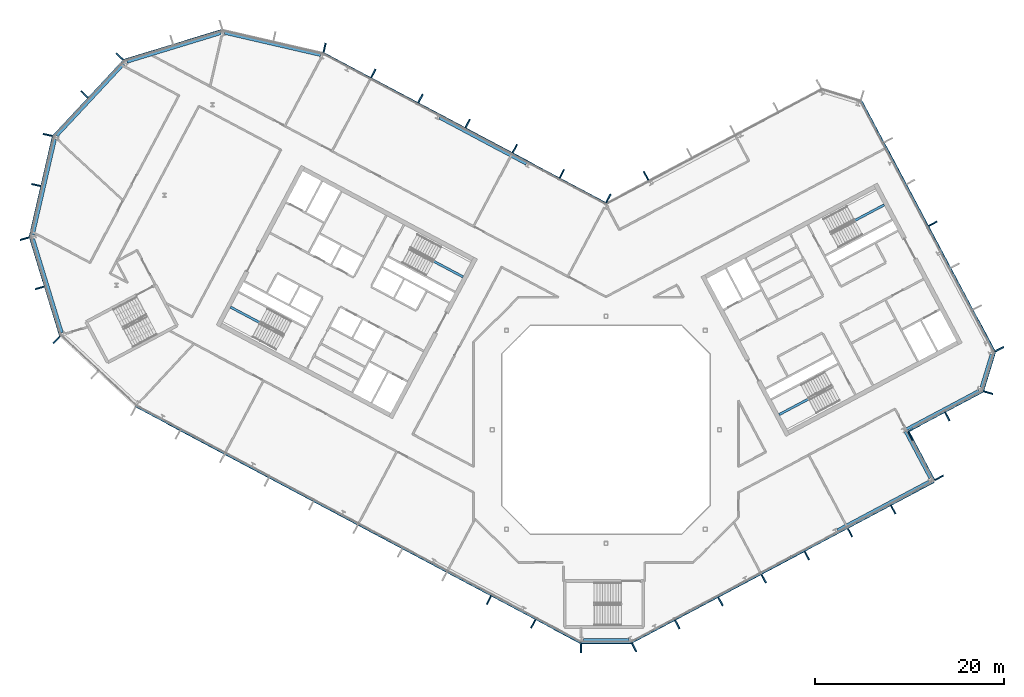
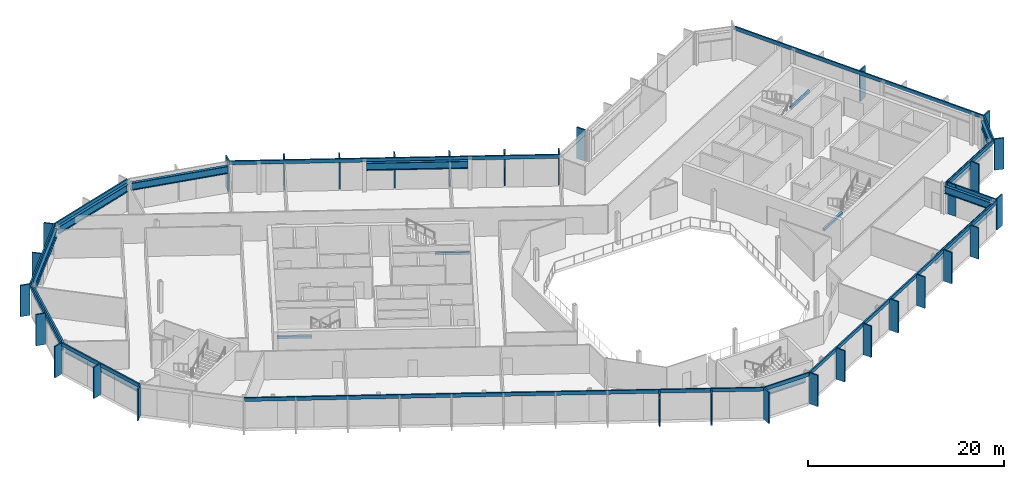
# One storey, part 9 of 26: 43 members, 15 beams, 15 elements without a shape of their own.
"""IFC4 building model written with IfcOpenShell, lengths in metres."""

from ifc_helpers import new_model, si_unit, direction, frame, origin, origin_2d, place, context, subcontext, project, spatial, rectangle, i_section, extrude, material, layer, layer_set, material_profile, profile_set, type_object, element, aggregate, save


model = new_model("IFC4")

# Units and contexts
model_context = context("Model", 3, precision=1e-05, world=origin(), true_north=direction((0.0, 1.0)))
body_context = subcontext(model_context, "Body", "Model", "MODEL_VIEW")
ifc_project = project(units=[si_unit("LENGTHUNIT", "METRE"), si_unit("AREAUNIT", "SQUARE_METRE"), si_unit("VOLUMEUNIT", "CUBIC_METRE"), si_unit("PLANEANGLEUNIT", "RADIAN"), si_unit("MASSUNIT", "GRAM", prefix="KILO")], contexts=[model_context])

# Site, building, storey
site_placement = place(None, origin())
site = spatial("IfcSite", under=ifc_project, at=site_placement, CompositionType="ELEMENT")
building_placement = place(site_placement, origin())
building = spatial("IfcBuilding", under=site, at=building_placement, Name="Cormorant Relay Tower", CompositionType="ELEMENT")
storey_placement = place(building_placement, frame((0.0, 0.0, 261.89990234375)))
storey = spatial("IfcBuildingStorey", under=building, at=storey_placement, Name="L58", CompositionType="ELEMENT", Elevation=261.89990234375)

# Curtain wall, member
ifc_material_1 = material(Name="Aluminium 6063-T6 anodised bronze", Category="aluminium")
ifc_layer = layer(ifc_material_1, 0.199951171875)
ifc_layer_set = layer_set([ifc_layer], Name="CW1 unitised bronze curtain wall with vertical fins")
curtain_wall_type = type_object("IfcCurtainWallType", Name="CW1 unitised bronze curtain wall with vertical fins", PredefinedType="NOTDEFINED", material=ifc_layer_set)
curtain_wall_1_placement = place(storey_placement, origin())
curtain_wall_1 = element("IfcCurtainWall", 1, at=curtain_wall_1_placement, inside=storey, type_object=curtain_wall_type, Name="CW1 curtain wall 1", PredefinedType="NOTDEFINED")
ifc_material_2 = material(Name="Aluminium 6063-T6 anodised bronze", Category="aluminium")
ifc_material_profile_1 = material_profile(ifc_material_2, rectangle(XDim=0.14990234375, YDim=1.0, at=origin_2d()), Name="AL 150x1000")
ifc_profile_set_1 = profile_set([ifc_material_profile_1], Name="Aluminium 6063-T6 anodised bronze")
member_type_1 = type_object("IfcMemberType", Name="CW1 bronze fin mullion 150 x 1000", PredefinedType="MULLION", material=ifc_profile_set_1)
member_1_placement = place(storey_placement, frame((-2.648681640625, -23.07568359375, 0.0), z_axis=(0.0, 0.0, 1.0), x_axis=(1.0, 0.0, 0.0)))
member_1 = element("IfcMember", 2, at=member_1_placement, type_object=member_type_1, Name="CW1 fin 1.1", PredefinedType="MULLION", context=body_context, shape_type="SweptSolid", body=[
    extrude(rectangle(XDim=0.14990234375, YDim=1.0, at=origin_2d()), origin(), (0.0, 0.0, 1.0), 3.900146484375),
])

# Curtain wall, members
curtain_wall_2_placement = place(storey_placement, origin())
curtain_wall_2 = element("IfcCurtainWall", 3, at=curtain_wall_2_placement, inside=storey, type_object=curtain_wall_type, Name="CW1 curtain wall 2", PredefinedType="NOTDEFINED")
member_2_placement = place(storey_placement, frame((2.9775390625, -22.99365234375, 0.0), z_axis=(0.0, 0.0, 1.0), x_axis=(0.882947592859, 0.469471562786, 0.0)))
member_2 = element("IfcMember", 4, at=member_2_placement, type_object=member_type_1, Name="CW1 fin 2.1", PredefinedType="MULLION", context=body_context, shape_type="SweptSolid", body=[
    extrude(rectangle(XDim=0.14990234375, YDim=1.0, at=origin_2d()), origin(), (0.0, 0.0, 1.0), 3.900146484375),
])
member_3_placement = place(storey_placement, frame((7.539306640625, -20.568115234375, 0.0), z_axis=(0.0, 0.0, 1.0), x_axis=(0.882947592859, 0.469471562786, 0.0)))
member_3 = element("IfcMember", 5, at=member_3_placement, type_object=member_type_1, Name="CW1 fin 2.2", PredefinedType="MULLION", context=body_context, shape_type="SweptSolid", body=[
    extrude(rectangle(XDim=0.14990234375, YDim=1.0, at=origin_2d()), origin(), (0.0, 0.0, 1.0), 3.900146484375),
])
member_4_placement = place(storey_placement, frame((12.10107421875, -18.142578125, 0.0), z_axis=(0.0, 0.0, 1.0), x_axis=(0.882947592859, 0.469471562786, 0.0)))
member_4 = element("IfcMember", 6, at=member_4_placement, type_object=member_type_1, Name="CW1 fin 2.3", PredefinedType="MULLION", context=body_context, shape_type="SweptSolid", body=[
    extrude(rectangle(XDim=0.14990234375, YDim=1.0, at=origin_2d()), origin(), (0.0, 0.0, 1.0), 3.900146484375),
])
member_5_placement = place(storey_placement, frame((16.662841796875, -15.717041015625, 0.0), z_axis=(0.0, 0.0, 1.0), x_axis=(0.882947592859, 0.469471562786, 0.0)))
member_5 = element("IfcMember", 7, at=member_5_placement, type_object=member_type_1, Name="CW1 fin 2.4", PredefinedType="MULLION", context=body_context, shape_type="SweptSolid", body=[
    extrude(rectangle(XDim=0.14990234375, YDim=1.0, at=origin_2d()), origin(), (0.0, 0.0, 1.0), 3.900146484375),
])
member_6_placement = place(storey_placement, frame((21.224609375, -13.29150390625, 0.0), z_axis=(0.0, 0.0, 1.0), x_axis=(0.882947592859, 0.469471562786, 0.0)))
member_6 = element("IfcMember", 8, at=member_6_placement, type_object=member_type_1, Name="CW1 fin 2.5", PredefinedType="MULLION", context=body_context, shape_type="SweptSolid", body=[
    extrude(rectangle(XDim=0.14990234375, YDim=1.0, at=origin_2d()), origin(), (0.0, 0.0, 1.0), 3.900146484375),
])
member_7_placement = place(storey_placement, frame((25.78662109375, -10.865966796875, 0.0), z_axis=(0.0, 0.0, 1.0), x_axis=(0.882947592859, 0.469471562786, 0.0)))
member_7 = element("IfcMember", 9, at=member_7_placement, type_object=member_type_1, Name="CW1 fin 2.6", PredefinedType="MULLION", context=body_context, shape_type="SweptSolid", body=[
    extrude(rectangle(XDim=0.14990234375, YDim=1.0, at=origin_2d()), origin(), (0.0, 0.0, 1.0), 3.900146484375),
])
member_8_placement = place(storey_placement, frame((30.348388671875, -8.440185546875, 0.0), z_axis=(0.0, 0.0, 1.0), x_axis=(0.882947592859, 0.469471562786, 0.0)))
member_8 = element("IfcMember", 10, at=member_8_placement, type_object=member_type_1, Name="CW1 fin 2.7", PredefinedType="MULLION", context=body_context, shape_type="SweptSolid", body=[
    extrude(rectangle(XDim=0.14990234375, YDim=1.0, at=origin_2d()), origin(), (0.0, 0.0, 1.0), 3.900146484375),
])

# Curtain wall, member
curtain_wall_3_placement = place(storey_placement, origin())
curtain_wall_3 = element("IfcCurtainWall", 11, at=curtain_wall_3_placement, inside=storey, type_object=curtain_wall_type, Name="CW1 curtain wall 3", PredefinedType="NOTDEFINED")
member_9_placement = place(storey_placement, frame((35.199462890625, -5.068115234375, 0.0), z_axis=(0.0, 0.0, 1.0), x_axis=(-0.469471562786, 0.882947592859, 0.0)))
member_9 = element("IfcMember", 12, at=member_9_placement, type_object=member_type_1, Name="CW1 fin 3.1", PredefinedType="MULLION", context=body_context, shape_type="SweptSolid", body=[
    extrude(rectangle(XDim=0.14990234375, YDim=1.0, at=origin_2d()), origin(), (0.0, 0.0, 1.0), 3.900146484375),
])

# Curtain wall, members
curtain_wall_4_placement = place(storey_placement, origin())
curtain_wall_4 = element("IfcCurtainWall", 13, at=curtain_wall_4_placement, inside=storey, type_object=curtain_wall_type, Name="CW1 curtain wall 4", PredefinedType="NOTDEFINED")
member_10_placement = place(storey_placement, frame((32.159423828125, -0.681884765625, 0.0), z_axis=(0.0, 0.0, 1.0), x_axis=(0.882947592859, 0.469471562786, 0.0)))
member_10 = element("IfcMember", 14, at=member_10_placement, type_object=member_type_1, Name="CW1 fin 4.1", PredefinedType="MULLION", context=body_context, shape_type="SweptSolid", body=[
    extrude(rectangle(XDim=0.14990234375, YDim=1.0, at=origin_2d()), origin(), (0.0, 0.0, 1.0), 3.900146484375),
])
member_11_placement = place(storey_placement, frame((36.06640625, 1.3955078125, 0.0), z_axis=(0.0, 0.0, 1.0), x_axis=(0.882947592859, 0.469471562786, 0.0)))
member_11 = element("IfcMember", 15, at=member_11_placement, type_object=member_type_1, Name="CW1 fin 4.2", PredefinedType="MULLION", context=body_context, shape_type="SweptSolid", body=[
    extrude(rectangle(XDim=0.14990234375, YDim=1.0, at=origin_2d()), origin(), (0.0, 0.0, 1.0), 3.900146484375),
])

# Curtain wall, member
curtain_wall_5_placement = place(storey_placement, origin())
curtain_wall_5 = element("IfcCurtainWall", 16, at=curtain_wall_5_placement, inside=storey, type_object=curtain_wall_type, Name="CW1 curtain wall 5", PredefinedType="NOTDEFINED")
member_12_placement = place(storey_placement, frame((40.380615234375, 3.921630859375, 0.0), z_axis=(0.0, 0.0, 1.0), x_axis=(0.292371704723, 0.956304755963, 0.0)))
member_12 = element("IfcMember", 17, at=member_12_placement, type_object=member_type_1, Name="CW1 fin 5.1", PredefinedType="MULLION", context=body_context, shape_type="SweptSolid", body=[
    extrude(rectangle(XDim=0.14990234375, YDim=1.0, at=origin_2d()), origin(), (0.0, 0.0, 1.0), 3.900146484375),
])

# Curtain wall, members
curtain_wall_6_placement = place(storey_placement, origin())
curtain_wall_6 = element("IfcCurtainWall", 18, at=curtain_wall_6_placement, inside=storey, type_object=curtain_wall_type, Name="CW1 curtain wall 6", PredefinedType="NOTDEFINED")
member_13_placement = place(storey_placement, frame((41.569580078125, 8.51220703125, 0.0), z_axis=(0.0, 0.0, 1.0), x_axis=(-0.469471562786, 0.882947592859, 0.0)))
member_13 = element("IfcMember", 19, at=member_13_placement, type_object=member_type_1, Name="CW1 fin 6.1", PredefinedType="MULLION", context=body_context, shape_type="SweptSolid", body=[
    extrude(rectangle(XDim=0.14990234375, YDim=1.0, at=origin_2d()), origin(), (0.0, 0.0, 1.0), 3.900146484375),
])
member_14_placement = place(storey_placement, frame((34.527587890625, 21.75634765625, 0.0), z_axis=(0.0, 0.0, 1.0), x_axis=(-0.469471562786, 0.882947592859, 0.0)))
member_14 = element("IfcMember", 20, at=member_14_placement, type_object=member_type_1, Name="CW1 fin 6.4", PredefinedType="MULLION", context=body_context, shape_type="SweptSolid", body=[
    extrude(rectangle(XDim=0.14990234375, YDim=1.0, at=origin_2d()), origin(), (0.0, 0.0, 1.0), 3.900146484375),
])

# Curtain wall, member
curtain_wall_7_placement = place(storey_placement, origin())
curtain_wall_7 = element("IfcCurtainWall", 21, at=curtain_wall_7_placement, inside=storey, type_object=curtain_wall_type, Name="CW1 curtain wall 8", PredefinedType="NOTDEFINED")
member_15_placement = place(storey_placement, frame((4.2333984375, 26.82763671875, 0.0), z_axis=(0.0, 0.0, 1.0), x_axis=(-0.882947592859, -0.469471562786, 0.0)))
member_15 = element("IfcMember", 22, at=member_15_placement, type_object=member_type_1, Name="CW1 fin 8.5", PredefinedType="MULLION", context=body_context, shape_type="SweptSolid", body=[
    extrude(rectangle(XDim=0.14990234375, YDim=1.0, at=origin_2d()), origin(), (0.0, 0.0, 1.0), 3.900146484375),
])
aggregate(curtain_wall_7, [member_15])

# Curtain wall, members
curtain_wall_8_placement = place(storey_placement, origin())
curtain_wall_8 = element("IfcCurtainWall", 23, at=curtain_wall_8_placement, inside=storey, type_object=curtain_wall_type, Name="CW1 curtain wall 9", PredefinedType="NOTDEFINED")
member_16_placement = place(storey_placement, frame((0.262451171875, 24.437255859375, 0.0), z_axis=(0.0, 0.0, 1.0), x_axis=(-0.882947592859, 0.469471562786, 0.0)))
member_16 = element("IfcMember", 24, at=member_16_placement, type_object=member_type_1, Name="CW1 fin 9.1", PredefinedType="MULLION", context=body_context, shape_type="SweptSolid", body=[
    extrude(rectangle(XDim=0.14990234375, YDim=1.0, at=origin_2d()), origin(), (0.0, 0.0, 1.0), 3.900146484375),
])
member_17_placement = place(storey_placement, frame((-4.650390625, 27.04931640625, 0.0), z_axis=(0.0, 0.0, 1.0), x_axis=(-0.882947592859, 0.469471562786, 0.0)))
member_17 = element("IfcMember", 25, at=member_17_placement, type_object=member_type_1, Name="CW1 fin 9.2", PredefinedType="MULLION", context=body_context, shape_type="SweptSolid", body=[
    extrude(rectangle(XDim=0.14990234375, YDim=1.0, at=origin_2d()), origin(), (0.0, 0.0, 1.0), 3.900146484375),
])
member_18_placement = place(storey_placement, frame((-9.62939453125, 29.69677734375, 0.0), z_axis=(0.0, 0.0, 1.0), x_axis=(-0.882947592859, 0.469471562786, 0.0)))
member_18 = element("IfcMember", 26, at=member_18_placement, type_object=member_type_1, Name="CW1 fin 9.3", PredefinedType="MULLION", context=body_context, shape_type="SweptSolid", body=[
    extrude(rectangle(XDim=0.14990234375, YDim=1.0, at=origin_2d()), origin(), (0.0, 0.0, 1.0), 3.900146484375),
])
member_19_placement = place(storey_placement, frame((-14.608154296875, 32.343994140625, 0.0), z_axis=(0.0, 0.0, 1.0), x_axis=(-0.882947592859, 0.469471562786, 0.0)))
member_19 = element("IfcMember", 27, at=member_19_placement, type_object=member_type_1, Name="CW1 fin 9.4", PredefinedType="MULLION", context=body_context, shape_type="SweptSolid", body=[
    extrude(rectangle(XDim=0.14990234375, YDim=1.0, at=origin_2d()), origin(), (0.0, 0.0, 1.0), 3.900146484375),
])
member_20_placement = place(storey_placement, frame((-19.587158203125, 34.991455078125, 0.0), z_axis=(0.0, 0.0, 1.0), x_axis=(-0.882947592859, 0.469471562786, 0.0)))
member_20 = element("IfcMember", 28, at=member_20_placement, type_object=member_type_1, Name="CW1 fin 9.5", PredefinedType="MULLION", context=body_context, shape_type="SweptSolid", body=[
    extrude(rectangle(XDim=0.14990234375, YDim=1.0, at=origin_2d()), origin(), (0.0, 0.0, 1.0), 3.900146484375),
])
member_21_placement = place(storey_placement, frame((-24.566162109375, 37.638916015625, 0.0), z_axis=(0.0, 0.0, 1.0), x_axis=(-0.882947592859, 0.469471562786, 0.0)))
member_21 = element("IfcMember", 29, at=member_21_placement, type_object=member_type_1, Name="CW1 fin 9.6", PredefinedType="MULLION", context=body_context, shape_type="SweptSolid", body=[
    extrude(rectangle(XDim=0.14990234375, YDim=1.0, at=origin_2d()), origin(), (0.0, 0.0, 1.0), 3.900146484375),
])

# Curtain wall, member
curtain_wall_9_placement = place(storey_placement, origin())
curtain_wall_9 = element("IfcCurtainWall", 30, at=curtain_wall_9_placement, inside=storey, type_object=curtain_wall_type, Name="CW1 curtain wall 10", PredefinedType="NOTDEFINED")
member_22_placement = place(storey_placement, frame((-29.71630859375, 40.35009765625, 0.0), z_axis=(0.0, 0.0, 1.0), x_axis=(-0.974370064785, 0.224951054344, 0.0)))
member_22 = element("IfcMember", 31, at=member_22_placement, type_object=member_type_1, Name="CW1 fin 10.1", PredefinedType="MULLION", context=body_context, shape_type="SweptSolid", body=[
    extrude(rectangle(XDim=0.14990234375, YDim=1.0, at=origin_2d()), origin(), (0.0, 0.0, 1.0), 3.900146484375),
])
aggregate(curtain_wall_9, [member_22])

# Curtain wall, members
curtain_wall_10_placement = place(storey_placement, origin())
curtain_wall_10 = element("IfcCurtainWall", 32, at=curtain_wall_10_placement, inside=storey, type_object=curtain_wall_type, Name="CW1 curtain wall 12", PredefinedType="NOTDEFINED")
member_23_placement = place(storey_placement, frame((-51.372802734375, 39.41259765625, 0.0), z_axis=(0.0, 0.0, 1.0), x_axis=(-0.681998360062, -0.731353701619, 0.0)))
member_23 = element("IfcMember", 33, at=member_23_placement, type_object=member_type_1, Name="CW1 fin 12.1", PredefinedType="MULLION", context=body_context, shape_type="SweptSolid", body=[
    extrude(rectangle(XDim=0.14990234375, YDim=1.0, at=origin_2d()), origin(), (0.0, 0.0, 1.0), 3.900146484375),
])
member_24_placement = place(storey_placement, frame((-55.07958984375, 35.4375, 0.0), z_axis=(0.0, 0.0, 1.0), x_axis=(-0.681998360062, -0.731353701619, 0.0)))
member_24 = element("IfcMember", 34, at=member_24_placement, type_object=member_type_1, Name="CW1 fin 12.2", PredefinedType="MULLION", context=body_context, shape_type="SweptSolid", body=[
    extrude(rectangle(XDim=0.14990234375, YDim=1.0, at=origin_2d()), origin(), (0.0, 0.0, 1.0), 3.900146484375),
])

curtain_wall_11_placement = place(storey_placement, origin())
curtain_wall_11 = element("IfcCurtainWall", 35, at=curtain_wall_11_placement, inside=storey, type_object=curtain_wall_type, Name="CW1 curtain wall 13", PredefinedType="NOTDEFINED")
member_25_placement = place(storey_placement, frame((-58.95654296875, 31.142578125, 0.0), z_axis=(0.0, 0.0, 1.0), x_axis=(-0.224951054344, -0.974370064785, 0.0)))
member_25 = element("IfcMember", 36, at=member_25_placement, type_object=member_type_1, Name="CW1 fin 13.1", PredefinedType="MULLION", context=body_context, shape_type="SweptSolid", body=[
    extrude(rectangle(XDim=0.14990234375, YDim=1.0, at=origin_2d()), origin(), (0.0, 0.0, 1.0), 3.900146484375),
])
member_26_placement = place(storey_placement, frame((-60.17919921875, 25.8466796875, 0.0), z_axis=(0.0, 0.0, 1.0), x_axis=(-0.224951054344, -0.974370064785, 0.0)))
member_26 = element("IfcMember", 37, at=member_26_placement, type_object=member_type_1, Name="CW1 fin 13.2", PredefinedType="MULLION", context=body_context, shape_type="SweptSolid", body=[
    extrude(rectangle(XDim=0.14990234375, YDim=1.0, at=origin_2d()), origin(), (0.0, 0.0, 1.0), 3.900146484375),
])

curtain_wall_12_placement = place(storey_placement, origin())
curtain_wall_12 = element("IfcCurtainWall", 38, at=curtain_wall_12_placement, inside=storey, type_object=curtain_wall_type, Name="CW1 curtain wall 14", PredefinedType="NOTDEFINED")
member_27_placement = place(storey_placement, frame((-61.389404296875, 20.188720703125, 0.0), z_axis=(0.0, 0.0, 1.0), x_axis=(0.292371704723, -0.956304755963, 0.0)))
member_27 = element("IfcMember", 39, at=member_27_placement, type_object=member_type_1, Name="CW1 fin 14.1", PredefinedType="MULLION", context=body_context, shape_type="SweptSolid", body=[
    extrude(rectangle(XDim=0.14990234375, YDim=1.0, at=origin_2d()), origin(), (0.0, 0.0, 1.0), 3.900146484375),
])
member_28_placement = place(storey_placement, frame((-59.80029296875, 14.990966796875, 0.0), z_axis=(0.0, 0.0, 1.0), x_axis=(0.292371704723, -0.956304755963, 0.0)))
member_28 = element("IfcMember", 40, at=member_28_placement, type_object=member_type_1, Name="CW1 fin 14.2", PredefinedType="MULLION", context=body_context, shape_type="SweptSolid", body=[
    extrude(rectangle(XDim=0.14990234375, YDim=1.0, at=origin_2d()), origin(), (0.0, 0.0, 1.0), 3.900146484375),
])

# Curtain wall, member
curtain_wall_13_placement = place(storey_placement, origin())
curtain_wall_13 = element("IfcCurtainWall", 41, at=curtain_wall_13_placement, inside=storey, type_object=curtain_wall_type, Name="CW1 curtain wall 15", PredefinedType="NOTDEFINED")
member_29_placement = place(storey_placement, frame((-58.01904296875, 9.486083984375, 0.0), z_axis=(0.0, 0.0, 1.0), x_axis=(0.731353701619, -0.681998360062, 0.0)))
member_29 = element("IfcMember", 42, at=member_29_placement, type_object=member_type_1, Name="CW1 fin 15.1", PredefinedType="MULLION", context=body_context, shape_type="SweptSolid", body=[
    extrude(rectangle(XDim=0.14990234375, YDim=1.0, at=origin_2d()), origin(), (0.0, 0.0, 1.0), 3.900146484375),
])
aggregate(curtain_wall_13, [member_29])

# Curtain wall, members
curtain_wall_14_placement = place(storey_placement, origin())
curtain_wall_14 = element("IfcCurtainWall", 43, at=curtain_wall_14_placement, inside=storey, type_object=curtain_wall_type, Name="CW1 curtain wall 16", PredefinedType="NOTDEFINED")
member_30_placement = place(storey_placement, frame((-12.365966796875, -18.001708984375, 0.0), z_axis=(0.0, 0.0, 1.0), x_axis=(0.882947592859, -0.469471562786, 0.0)))
member_30 = element("IfcMember", 44, at=member_30_placement, type_object=member_type_1, Name="CW1 fin 16.9", PredefinedType="MULLION", context=body_context, shape_type="SweptSolid", body=[
    extrude(rectangle(XDim=0.14990234375, YDim=1.0, at=origin_2d()), origin(), (0.0, 0.0, 1.0), 3.900146484375),
])
member_31_placement = place(storey_placement, frame((-7.671630859375, -20.49755859375, 0.0), z_axis=(0.0, 0.0, 1.0), x_axis=(0.882947592859, -0.469471562786, 0.0)))
member_31 = element("IfcMember", 45, at=member_31_placement, type_object=member_type_1, Name="CW1 fin 16.10", PredefinedType="MULLION", context=body_context, shape_type="SweptSolid", body=[
    extrude(rectangle(XDim=0.14990234375, YDim=1.0, at=origin_2d()), origin(), (0.0, 0.0, 1.0), 3.900146484375),
])

# Member
ifc_material_3 = material(Name="Aluminium 6063-T6 anodised bronze", Category="aluminium")
ifc_material_profile_2 = material_profile(ifc_material_3, rectangle(XDim=0.159912109375, YDim=0.449951171875, at=origin_2d()), Name="AL 160x450")
ifc_profile_set_2 = profile_set([ifc_material_profile_2], Name="Aluminium 6063-T6 anodised bronze")
member_type_2 = type_object("IfcMemberType", Name="CW1 bronze transom 160 x 450", PredefinedType="USERDEFINED", material=ifc_profile_set_2)
member_32_placement = place(storey_placement, frame((-2.648681640625, -22.49560546875, 3.675048828125), z_axis=(1.0, 0.0, 0.0), x_axis=(0.0, 1.0, 0.0)))
member_32 = element("IfcMember", 46, at=member_32_placement, type_object=member_type_2, Name="CW1 transom 1", ObjectType="TRANSOM", PredefinedType="USERDEFINED", context=body_context, shape_type="SweptSolid", body=[
    extrude(rectangle(XDim=0.159912109375, YDim=0.449951171875, at=origin_2d()), origin(), (0.0, 0.0, 1.0), 5.29736328125),
])

aggregate(curtain_wall_1, [member_1, member_32])

member_33_placement = place(storey_placement, frame((2.705078125, -22.4814453125, 3.675048828125), z_axis=(0.882948899141, 0.469469106018, 0.0), x_axis=(-0.469469106018, 0.882948899141, 0.0)))
member_33 = element("IfcMember", 47, at=member_33_placement, type_object=member_type_2, Name="CW1 transom 2", ObjectType="TRANSOM", PredefinedType="USERDEFINED", context=body_context, shape_type="SweptSolid", body=[
    extrude(rectangle(XDim=0.159912109375, YDim=0.449951171875, at=origin_2d()), origin(), (0.0, 0.0, 1.0), 36.165771484375),
])

aggregate(curtain_wall_2, [member_2, member_3, member_4, member_5, member_6, member_7, member_8, member_33])

member_34_placement = place(storey_placement, frame((34.6875, -5.34033203125, 3.675048828125), z_axis=(-0.469485426614, 0.882940221191, 0.0), x_axis=(-0.882940221191, -0.469485426614, 0.0)))
member_34 = element("IfcMember", 48, at=member_34_placement, type_object=member_type_2, Name="CW1 transom 3", ObjectType="TRANSOM", PredefinedType="USERDEFINED", context=body_context, shape_type="SweptSolid", body=[
    extrude(rectangle(XDim=0.159912109375, YDim=0.449951171875, at=origin_2d()), origin(), (0.0, 0.0, 1.0), 6.0),
])

aggregate(curtain_wall_3, [member_9, member_34])

member_35_placement = place(storey_placement, frame((31.82080078125, -0.205078125, 3.675048828125), z_axis=(0.882949189538, 0.469468559857, 0.0), x_axis=(-0.469468559857, 0.882949189538, 0.0)))
member_35 = element("IfcMember", 49, at=member_35_placement, type_object=member_type_2, Name="CW1 transom 4", ObjectType="TRANSOM", PredefinedType="USERDEFINED", context=body_context, shape_type="SweptSolid", body=[
    extrude(rectangle(XDim=0.159912109375, YDim=0.449951171875, at=origin_2d()), origin(), (0.0, 0.0, 1.0), 9.000244140625),
])

aggregate(curtain_wall_4, [member_10, member_11, member_35])

member_36_placement = place(storey_placement, frame((39.825927734375, 4.091064453125, 3.675048828125), z_axis=(0.292374957137, 0.956303761594, 0.0), x_axis=(-0.956303761594, 0.292374957137, 0.0)))
member_36 = element("IfcMember", 50, at=member_36_placement, type_object=member_type_2, Name="CW1 transom 5", ObjectType="TRANSOM", PredefinedType="USERDEFINED", context=body_context, shape_type="SweptSolid", body=[
    extrude(rectangle(XDim=0.159912109375, YDim=0.449951171875, at=origin_2d()), origin(), (0.0, 0.0, 1.0), 4.24267578125),
])

aggregate(curtain_wall_5, [member_12, member_36])

member_37_placement = place(storey_placement, frame((41.0576171875, 8.23974609375, 3.675048828125), z_axis=(-0.469472335483, 0.882947182008, 0.0), x_axis=(-0.882947182008, -0.469472335483, 0.0)))
member_37 = element("IfcMember", 51, at=member_37_placement, type_object=member_type_2, Name="CW1 transom 6", ObjectType="TRANSOM", PredefinedType="USERDEFINED", context=body_context, shape_type="SweptSolid", body=[
    extrude(rectangle(XDim=0.159912109375, YDim=0.449951171875, at=origin_2d()), origin(), (0.0, 0.0, 1.0), 30.000244140625),
])

aggregate(curtain_wall_6, [member_13, member_14, member_37])

member_38_placement = place(storey_placement, frame((0.056396484375, 23.889892578125, 3.675048828125), z_axis=(-0.882946280328, 0.46947403129, 0.0), x_axis=(-0.46947403129, -0.882946280328, 0.0)))
member_38 = element("IfcMember", 52, at=member_38_placement, type_object=member_type_2, Name="CW1 transom 9", ObjectType="TRANSOM", PredefinedType="USERDEFINED", context=body_context, shape_type="SweptSolid", body=[
    extrude(rectangle(XDim=0.159912109375, YDim=0.449951171875, at=origin_2d()), origin(), (0.0, 0.0, 1.0), 33.834228515625),
])

aggregate(curtain_wall_8, [member_16, member_17, member_18, member_19, member_20, member_21, member_38])

# Curtain wall, member
curtain_wall_15_placement = place(storey_placement, origin())
curtain_wall_15 = element("IfcCurtainWall", 53, at=curtain_wall_15_placement, inside=storey, type_object=curtain_wall_type, Name="CW1 curtain wall 11", PredefinedType="NOTDEFINED")
member_39_placement = place(storey_placement, frame((-40.50048828125, 42.228271484375, 3.675048828125), z_axis=(-0.956304833932, -0.292371449698, 0.0), x_axis=(0.292371449698, -0.956304833932, 0.0)))
member_39 = element("IfcMember", 54, at=member_39_placement, type_object=member_type_2, Name="CW1 transom 11", ObjectType="TRANSOM", PredefinedType="USERDEFINED", context=body_context, shape_type="SweptSolid", body=[
    extrude(rectangle(XDim=0.159912109375, YDim=0.449951171875, at=origin_2d()), origin(), (0.0, 0.0, 1.0), 10.87060546875),
])
aggregate(curtain_wall_15, [member_39])

# Member
member_40_placement = place(storey_placement, frame((-50.94873046875, 39.01708984375, 3.675048828125), z_axis=(-0.681993299437, -0.731358420696, 0.0), x_axis=(0.731358420696, -0.681993299437, 0.0)))
member_40 = element("IfcMember", 55, at=member_40_placement, type_object=member_type_2, Name="CW1 transom 12", ObjectType="TRANSOM", PredefinedType="USERDEFINED", context=body_context, shape_type="SweptSolid", body=[
    extrude(rectangle(XDim=0.159912109375, YDim=0.449951171875, at=origin_2d()), origin(), (0.0, 0.0, 1.0), 10.870361328125),
])

aggregate(curtain_wall_10, [member_23, member_24, member_40])

member_41_placement = place(storey_placement, frame((-58.3916015625, 31.01220703125, 3.675048828125), z_axis=(-0.22495136131, -0.974369993916, 0.0), x_axis=(0.974369993916, -0.22495136131, 0.0)))
member_41 = element("IfcMember", 56, at=member_41_placement, type_object=member_type_2, Name="CW1 transom 13", ObjectType="TRANSOM", PredefinedType="USERDEFINED", context=body_context, shape_type="SweptSolid", body=[
    extrude(rectangle(XDim=0.159912109375, YDim=0.449951171875, at=origin_2d()), origin(), (0.0, 0.0, 1.0), 10.870361328125),
])

aggregate(curtain_wall_11, [member_25, member_26, member_41])

member_42_placement = place(storey_placement, frame((-60.834716796875, 20.358154296875, 3.675048828125), z_axis=(0.292377729282, -0.95630291405, 0.0), x_axis=(0.95630291405, 0.292377729282, 0.0)))
member_42 = element("IfcMember", 57, at=member_42_placement, type_object=member_type_2, Name="CW1 transom 14", ObjectType="TRANSOM", PredefinedType="USERDEFINED", context=body_context, shape_type="SweptSolid", body=[
    extrude(rectangle(XDim=0.159912109375, YDim=0.449951171875, at=origin_2d()), origin(), (0.0, 0.0, 1.0), 10.870361328125),
])

aggregate(curtain_wall_12, [member_27, member_28, member_42])

member_43_placement = place(storey_placement, frame((-49.64794921875, 2.478515625, 3.675048828125), z_axis=(0.882947642542, -0.469471469346, 0.0), x_axis=(0.469471469346, 0.882947642542, 0.0)))
member_43 = element("IfcMember", 58, at=member_43_placement, type_object=member_type_2, Name="CW1 transom 16", ObjectType="TRANSOM", PredefinedType="USERDEFINED", context=body_context, shape_type="SweptSolid", body=[
    extrude(rectangle(XDim=0.159912109375, YDim=0.449951171875, at=origin_2d()), origin(), (0.0, 0.0, 1.0), 53.166015625),
])

aggregate(curtain_wall_14, [member_30, member_31, member_43])

# Beams
ifc_material_4 = material(Name="Steel ASTM A992 (Fy 345 MPa)", Category="steel")
ifc_material_profile_3 = material_profile(ifc_material_4, i_section(OverallWidth=0.307373046875, OverallDepth=0.927001953125, WebThickness=0.019287109375, FlangeThickness=0.031982421875, FilletRadius=0.01904296875, at=origin_2d()), Name="W920x289")
ifc_profile_set_3 = profile_set([ifc_material_profile_3], Name="Steel ASTM A992 (Fy 345 MPa)")
beam_type_1 = type_object("IfcBeamType", Name="Spandrel W920x289", PredefinedType="SPANDREL", material=ifc_profile_set_3)
beam_1_placement = place(storey_placement, frame((-2.377197265625, -22.221923828125, 3.076416015625), z_axis=(1.0, 0.0, 0.0), x_axis=(0.0, 1.0, 0.0)))
element("IfcBeam", 59, at=beam_1_placement, inside=storey, type_object=beam_type_1, Name="Spandrel beam L58-001", PredefinedType="SPANDREL", context=body_context, shape_type="SweptSolid", body=[
    extrude(i_section(OverallWidth=0.307373046875, OverallDepth=0.927001953125, WebThickness=0.019287109375, FlangeThickness=0.031982421875, FilletRadius=0.01904296875, at=origin_2d()), origin(), (0.0, 0.0, 1.0), 4.79541015625),
])
beam_2_placement = place(storey_placement, frame((24.44287109375, -10.61328125, 3.076416015625), z_axis=(0.882957797597, 0.469452369961, 0.0), x_axis=(-0.469452369961, 0.882957797597, 0.0)))
element("IfcBeam", 60, at=beam_2_placement, inside=storey, type_object=beam_type_1, Name="Spandrel beam L58-002", PredefinedType="SPANDREL", context=body_context, shape_type="SweptSolid", body=[
    extrude(i_section(OverallWidth=0.307373046875, OverallDepth=0.927001953125, WebThickness=0.019287109375, FlangeThickness=0.031982421875, FilletRadius=0.01904296875, at=origin_2d()), origin(), (0.0, 0.0, 1.0), 10.992431640625),
])
beam_3_placement = place(storey_placement, frame((34.254638671875, -5.109619140625, 3.076416015625), z_axis=(-0.469457325339, 0.882955162897, 0.0), x_axis=(-0.882955162897, -0.469457325339, 0.0)))
element("IfcBeam", 61, at=beam_3_placement, inside=storey, type_object=beam_type_1, Name="Spandrel beam L58-003", PredefinedType="SPANDREL", context=body_context, shape_type="SweptSolid", body=[
    extrude(i_section(OverallWidth=0.307373046875, OverallDepth=0.927001953125, WebThickness=0.019287109375, FlangeThickness=0.031982421875, FilletRadius=0.01904296875, at=origin_2d()), origin(), (0.0, 0.0, 1.0), 5.593017578125),
])
beam_4_placement = place(storey_placement, frame((31.6923828125, 0.03662109375, 3.076416015625), z_axis=(0.882943393008, 0.469479461472, 0.0), x_axis=(-0.469479461472, 0.882943393008, 0.0)))
element("IfcBeam", 62, at=beam_4_placement, inside=storey, type_object=beam_type_1, Name="Spandrel beam L58-004", PredefinedType="SPANDREL", context=body_context, shape_type="SweptSolid", body=[
    extrude(i_section(OverallWidth=0.307373046875, OverallDepth=0.927001953125, WebThickness=0.019287109375, FlangeThickness=0.031982421875, FilletRadius=0.01904296875, at=origin_2d()), origin(), (0.0, 0.0, 1.0), 8.734375),
])
beam_5_placement = place(storey_placement, frame((39.6591796875, 4.4814453125, 3.076416015625), z_axis=(0.292323829151, 0.956319391684, 0.0), x_axis=(-0.956319391684, 0.292323829151, 0.0)))
element("IfcBeam", 63, at=beam_5_placement, inside=storey, type_object=beam_type_1, Name="Spandrel beam L58-005", PredefinedType="SPANDREL", context=body_context, shape_type="SweptSolid", body=[
    extrude(i_section(OverallWidth=0.307373046875, OverallDepth=0.927001953125, WebThickness=0.019287109375, FlangeThickness=0.031982421875, FilletRadius=0.01904296875, at=origin_2d()), origin(), (0.0, 0.0, 1.0), 3.652099609375),
])
beam_6_placement = place(storey_placement, frame((-8.401611328125, 28.0771484375, 3.076416015625), z_axis=(-0.882945471565, 0.469475552338, 0.0), x_axis=(-0.469475552338, -0.882945471565, 0.0)))
element("IfcBeam", 64, at=beam_6_placement, inside=storey, type_object=beam_type_1, Name="Spandrel beam L58-009", PredefinedType="SPANDREL", context=body_context, shape_type="SweptSolid", body=[
    extrude(i_section(OverallWidth=0.307373046875, OverallDepth=0.927001953125, WebThickness=0.019287109375, FlangeThickness=0.031982421875, FilletRadius=0.01904296875, at=origin_2d()), origin(), (0.0, 0.0, 1.0), 10.401123046875),
])
beam_7_placement = place(storey_placement, frame((-30.138427734375, 39.571533203125, 3.076416015625), z_axis=(-0.97437021882, 0.224950387145, 0.0), x_axis=(-0.224950387145, -0.97437021882, 0.0)))
element("IfcBeam", 65, at=beam_7_placement, inside=storey, type_object=beam_type_1, Name="Spandrel beam L58-010", PredefinedType="SPANDREL", context=body_context, shape_type="SweptSolid", body=[
    extrude(i_section(OverallWidth=0.307373046875, OverallDepth=0.927001953125, WebThickness=0.019287109375, FlangeThickness=0.031982421875, FilletRadius=0.01904296875, at=origin_2d()), origin(), (0.0, 0.0, 1.0), 10.3984375),
])
beam_8_placement = place(storey_placement, frame((-40.68505859375, 41.8857421875, 3.076416015625), z_axis=(-0.956304903575, -0.292371221906, 0.0), x_axis=(0.292371221906, -0.956304903575, 0.0)))
element("IfcBeam", 66, at=beam_8_placement, inside=storey, type_object=beam_type_1, Name="Spandrel beam L58-011", PredefinedType="SPANDREL", context=body_context, shape_type="SweptSolid", body=[
    extrude(i_section(OverallWidth=0.307373046875, OverallDepth=0.927001953125, WebThickness=0.019287109375, FlangeThickness=0.031982421875, FilletRadius=0.01904296875, at=origin_2d()), origin(), (0.0, 0.0, 1.0), 10.358642578125),
])
beam_9_placement = place(storey_placement, frame((-50.9375, 38.627685546875, 3.076416015625), z_axis=(-0.682009982741, -0.731342863124, 0.0), x_axis=(0.731342863124, -0.682009982741, 0.0)))
element("IfcBeam", 67, at=beam_9_placement, inside=storey, type_object=beam_type_1, Name="Spandrel beam L58-012", PredefinedType="SPANDREL", context=body_context, shape_type="SweptSolid", body=[
    extrude(i_section(OverallWidth=0.307373046875, OverallDepth=0.927001953125, WebThickness=0.019287109375, FlangeThickness=0.031982421875, FilletRadius=0.01904296875, at=origin_2d()), origin(), (0.0, 0.0, 1.0), 10.35791015625),
])
beam_10_placement = place(storey_placement, frame((-58.18701171875, 30.680908203125, 3.076416015625), z_axis=(-0.224955895786, -0.974368947038, 0.0), x_axis=(0.974368947038, -0.224955895786, 0.0)))
element("IfcBeam", 68, at=beam_10_placement, inside=storey, type_object=beam_type_1, Name="Spandrel beam L58-013", PredefinedType="SPANDREL", context=body_context, shape_type="SweptSolid", body=[
    extrude(i_section(OverallWidth=0.307373046875, OverallDepth=0.927001953125, WebThickness=0.019287109375, FlangeThickness=0.031982421875, FilletRadius=0.01904296875, at=origin_2d()), origin(), (0.0, 0.0, 1.0), 10.359130859375),
])
beam_11_placement = place(storey_placement, frame((-60.49169921875, 20.1728515625, 3.076416015625), z_axis=(0.292367651593, -0.95630599512, 0.0), x_axis=(0.95630599512, 0.292367651593, 0.0)))
element("IfcBeam", 69, at=beam_11_placement, inside=storey, type_object=beam_type_1, Name="Spandrel beam L58-014", PredefinedType="SPANDREL", context=body_context, shape_type="SweptSolid", body=[
    extrude(i_section(OverallWidth=0.307373046875, OverallDepth=0.927001953125, WebThickness=0.019287109375, FlangeThickness=0.031982421875, FilletRadius=0.01904296875, at=origin_2d()), origin(), (0.0, 0.0, 1.0), 10.357177734375),
])
ifc_material_5 = material(Name="Concrete 50 MPa", Category="concrete")
ifc_material_profile_4 = material_profile(ifc_material_5, rectangle(XDim=0.25, YDim=0.300048828125, at=origin_2d()), Name="RC 250x300")
ifc_profile_set_4 = profile_set([ifc_material_profile_4], Name="Concrete 50 MPa")
beam_type_2 = type_object("IfcBeamType", Name="Stair landing ledge beam 250x300", PredefinedType="BEAM", material=ifc_profile_set_4)
beam_12_placement = place(storey_placement, frame((-18.219482421875, 17.813720703125, 1.60009765625), z_axis=(0.882950035608, -0.469466968614, 0.0), x_axis=(0.469466968614, 0.882950035608, 0.0)))
element("IfcBeam", 70, at=beam_12_placement, inside=storey, type_object=beam_type_2, Name="A1 landing ledge beam", PredefinedType="BEAM", context=body_context, shape_type="SweptSolid", body=[
    extrude(rectangle(XDim=0.25, YDim=0.300048828125, at=origin_2d()), origin(), (0.0, 0.0, 1.0), 3.5498046875),
])
for number, where, z_axis, x_axis, name in (
    (71, (-36.523193359375, 11.29345703125, 1.60009765625), (-0.88293668587, 0.469492075273, 0.0), (-0.469492075273, -0.88293668587, 0.0), "A2 landing ledge beam"),
    (72, (21.4248046875, 3.265380859375, 1.60009765625), (-0.88296519247, -0.469438461235, 0.0), (0.469438461235, -0.88296519247, 0.0), "B1 landing ledge beam"),
    (73, (26.25439453125, 22.0859375, 1.60009765625), (0.88296519247, 0.469438461235, 0.0), (-0.469438461235, 0.88296519247, 0.0), "B2 landing ledge beam"),
):
    element("IfcBeam", number, at=place(storey_placement, frame(where, z_axis=z_axis, x_axis=x_axis)), inside=storey, type_object=beam_type_2, Name=name, PredefinedType="BEAM", context=body_context, shape_type="SweptSolid", body=[
        extrude(rectangle(XDim=0.25, YDim=0.300048828125, at=origin_2d()), origin(), (0.0, 0.0, 1.0), 3.550048828125),
    ])

save(model, "model.ifc")
